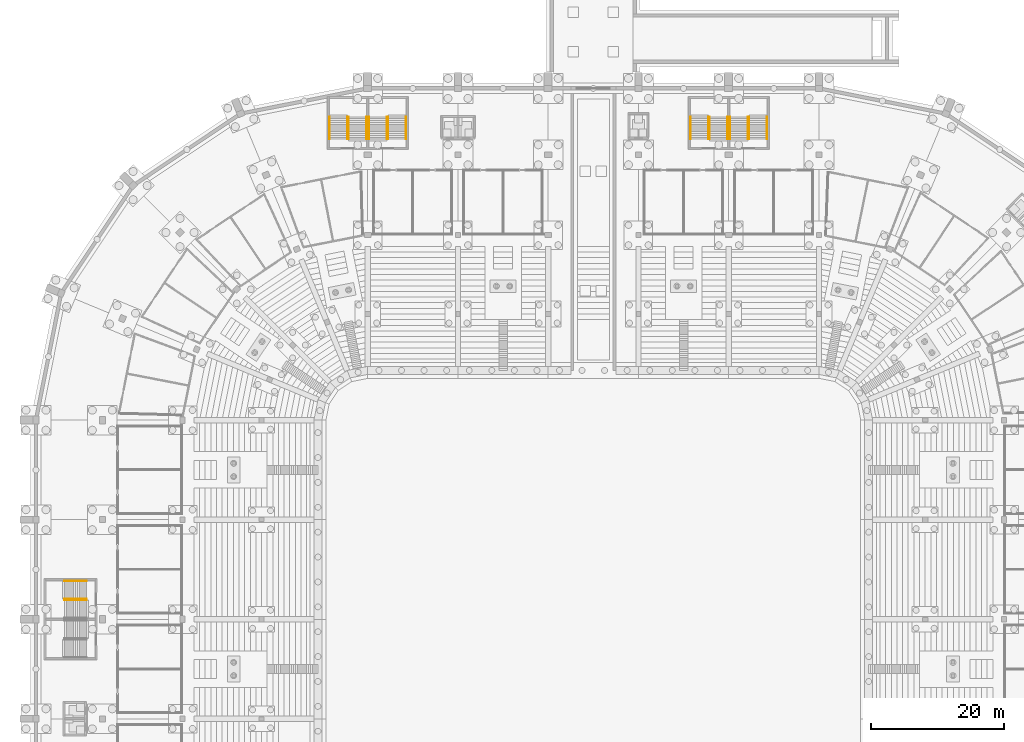
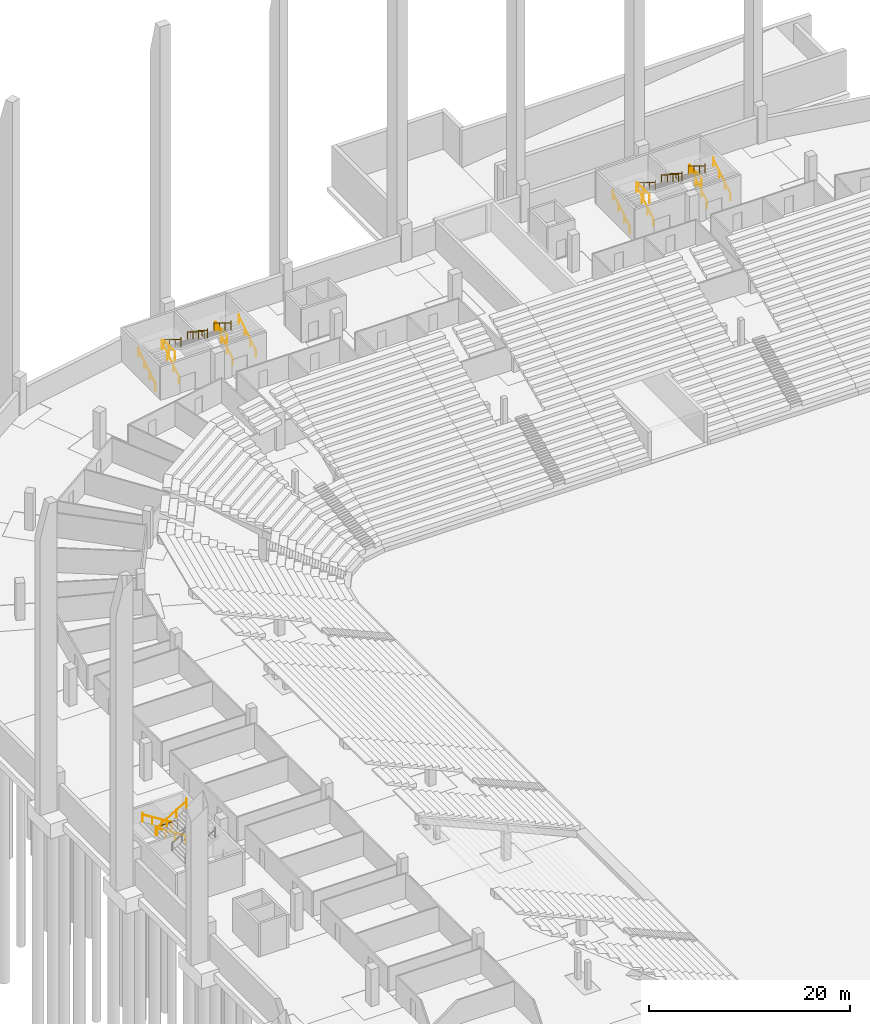
# One storey, part 113 of 115: 24 railings.
"""IFC4 building model written with IfcOpenShell, lengths in metres."""

from ifc_helpers import new_model, si_unit, direction, frame, origin, origin_2d, place, context, subcontext, project, spatial, circle, extrude, material, type_object, element, save


model = new_model("IFC4")

# Units and contexts
model_context = context("Model", 3, precision=1e-05, world=origin(), true_north=direction((0.0, 1.0)))
body_context = subcontext(model_context, "Body", "Model", "MODEL_VIEW")
ifc_project = project(units=[si_unit("LENGTHUNIT", "METRE"), si_unit("AREAUNIT", "SQUARE_METRE"), si_unit("VOLUMEUNIT", "CUBIC_METRE"), si_unit("PLANEANGLEUNIT", "RADIAN"), si_unit("MASSUNIT", "GRAM", prefix="KILO")], contexts=[model_context])

# Site, building, storey
site_placement = place(None, origin())
site = spatial("IfcSite", under=ifc_project, at=site_placement, CompositionType="ELEMENT")
building_placement = place(site_placement, origin())
building = spatial("IfcBuilding", under=site, at=building_placement, Name="Ogive Plaza Stadium", CompositionType="ELEMENT")
storey_placement = place(building_placement, frame((0.0, 0.0, -4.5)))
storey = spatial("IfcBuildingStorey", under=building, at=storey_placement, Name="B1", CompositionType="ELEMENT", Elevation=-4.5)

# Railings
ifc_material_1 = material(Name="Steel ASTM A572 Grade 50", Category="steel")
railing_type_1 = type_object("IfcRailingType", Name="Guard 1100", PredefinedType="GUARDRAIL", material=ifc_material_1)
railing_1_placement = place(storey_placement, frame((-77.31005859375, 25.47509765625, 2.25)))
element("IfcRailing", 1, at=railing_1_placement, inside=storey, type_object=railing_type_1, Name="Stair well guard ST26A B1", PredefinedType="GUARDRAIL", context=body_context, shape_type="SweptSolid", body=[
    extrude(circle(Radius=0.02392578125, at=origin_2d()), frame((0.0, 0.0, 1.076171875), z_axis=(-1.0, 0.0, 0.0), x_axis=(0.0, -1.0, 0.0)), (0.0, 0.0, 1.0), 2.39990234375),
    extrude(circle(Radius=0.02099609375, at=origin_2d()), origin(), (0.0, 0.0, 1.0), 1.052001953125),
    extrude(circle(Radius=0.02099609375, at=origin_2d()), frame((-1.199951171875, 0.0, 0.0)), (0.0, 0.0, 1.0), 1.052001953125),
    extrude(circle(Radius=0.02099609375, at=origin_2d()), frame((-2.39990234375, 0.0, 0.0)), (0.0, 0.0, 1.0), 1.052001953125),
])
for number, where, name in (
    (2, (-31.02490234375, 95.81005859375, 2.25), "Stair well guard ST32A B1"),
    (3, (-36.97509765625, 95.81005859375, 2.25), "Stair well guard ST32B B1"),
    (4, (23.375, 95.81005859375, 2.25), "Stair well guard ST36A B1"),
    (5, (17.425048828125, 95.81005859375, 2.25), "Stair well guard ST36B B1"),
):
    element("IfcRailing", number, at=place(storey_placement, frame(where)), inside=storey, type_object=railing_type_1, Name=name, PredefinedType="GUARDRAIL", context=body_context, shape_type="SweptSolid", body=[
        extrude(circle(Radius=0.02392578125, at=origin_2d()), frame((0.0, 0.0, 1.076171875), z_axis=(0.0, 1.0, 0.0), x_axis=(-1.0, 0.0, 0.0)), (0.0, 0.0, 1.0), 2.39990234375),
        extrude(circle(Radius=0.02099609375, at=origin_2d()), origin(), (0.0, 0.0, 1.0), 1.052001953125),
        extrude(circle(Radius=0.02099609375, at=origin_2d()), frame((0.0, 1.199951171875, 0.0)), (0.0, 0.0, 1.0), 1.052001953125),
        extrude(circle(Radius=0.02099609375, at=origin_2d()), frame((0.0, 2.39990234375, 0.0)), (0.0, 0.0, 1.0), 1.052001953125),
    ])
ifc_material_2 = material(Name="Steel ASTM A572 Grade 50", Category="steel")
railing_type_2 = type_object("IfcRailingType", Name="Handrail 900", PredefinedType="HANDRAIL", material=ifc_material_2)
for number, where, name in (
    (6, (-76.35009765625, 28.264892578125, 0.173095703125), "Handrail ST26A B1"),
    (7, (-76.35009765625, 25.5849609375, 0.173095703125), "Handrail ST26A B1"),
):
    element("IfcRailing", number, at=place(storey_placement, frame(where)), inside=storey, type_object=railing_type_2, Name=name, PredefinedType="HANDRAIL", context=body_context, shape_type="SweptSolid", body=[
        extrude(circle(Radius=0.02392578125, at=origin_2d()), frame((0.0, 0.0, 0.8759765625), z_axis=(-0.850606129759, 0.0, 0.525803396734), x_axis=(0.0, -1.0, 0.0)), (0.0, 0.0, 1.0), 3.949951171875),
        extrude(circle(Radius=0.02099609375, at=origin_2d()), origin(), (0.0, 0.0, 1.0), 0.851806640625),
        extrude(circle(Radius=0.02099609375, at=origin_2d()), frame((-1.119873046875, 0.0, 0.6923828125)), (0.0, 0.0, 1.0), 0.851806640625),
        extrude(circle(Radius=0.02099609375, at=origin_2d()), frame((-2.239990234375, 0.0, 1.384521484375)), (0.0, 0.0, 1.0), 0.851806640625),
        extrude(circle(Radius=0.02099609375, at=origin_2d()), frame((-3.35986328125, 0.0, 2.076904296875)), (0.0, 0.0, 1.0), 1.10009765625),
    ])
railing_2_placement = place(storey_placement, frame((-79.7099609375, 25.364990234375, 2.423095703125)))
element("IfcRailing", 8, at=railing_2_placement, inside=storey, type_object=railing_type_2, Name="Handrail ST26A B1", PredefinedType="HANDRAIL", context=body_context, shape_type="SweptSolid", body=[
    extrude(circle(Radius=0.02392578125, at=origin_2d()), frame((0.0, 0.0, 0.8759765625), z_axis=(0.850606129759, 0.0, 0.525803396734), x_axis=(0.0, 1.0, 0.0)), (0.0, 0.0, 1.0), 3.949951171875),
    extrude(circle(Radius=0.02099609375, at=origin_2d()), origin(), (0.0, 0.0, 1.0), 0.851806640625),
    extrude(circle(Radius=0.02099609375, at=origin_2d()), frame((1.119873046875, 0.0, 0.6923828125)), (0.0, 0.0, 1.0), 0.851806640625),
    extrude(circle(Radius=0.02099609375, at=origin_2d()), frame((2.239990234375, 0.0, 1.384521484375)), (0.0, 0.0, 1.0), 0.851806640625),
    extrude(circle(Radius=0.02099609375, at=origin_2d()), frame((3.35986328125, 0.0, 2.076904296875)), (0.0, 0.0, 1.0), 1.10009765625),
])
for number, where, name in (
    (9, (-28.235107421875, 94.85009765625, 0.173095703125), "Handrail ST32A B1"),
    (10, (-30.9150390625, 94.85009765625, 0.173095703125), "Handrail ST32A B1"),
):
    element("IfcRailing", number, at=place(storey_placement, frame(where)), inside=storey, type_object=railing_type_2, Name=name, PredefinedType="HANDRAIL", context=body_context, shape_type="SweptSolid", body=[
        extrude(circle(Radius=0.02392578125, at=origin_2d()), frame((0.0, 0.0, 0.8759765625), z_axis=(0.0, 0.850606129759, 0.525803396734), x_axis=(-1.0, 0.0, 0.0)), (0.0, 0.0, 1.0), 3.949951171875),
        extrude(circle(Radius=0.02099609375, at=origin_2d()), origin(), (0.0, 0.0, 1.0), 0.851806640625),
        extrude(circle(Radius=0.02099609375, at=origin_2d()), frame((0.0, 1.119873046875, 0.6923828125)), (0.0, 0.0, 1.0), 0.851806640625),
        extrude(circle(Radius=0.02099609375, at=origin_2d()), frame((0.0, 2.239990234375, 1.384521484375)), (0.0, 0.0, 1.0), 0.851806640625),
        extrude(circle(Radius=0.02099609375, at=origin_2d()), frame((0.0, 3.35986328125, 2.076904296875)), (0.0, 0.0, 1.0), 1.10009765625),
    ])
for number, where, name in (
    (11, (-31.135009765625, 98.2099609375, 2.423095703125), "Handrail ST32A B1"),
    (12, (-33.81494140625, 98.2099609375, 2.423095703125), "Handrail ST32A B1"),
):
    element("IfcRailing", number, at=place(storey_placement, frame(where)), inside=storey, type_object=railing_type_2, Name=name, PredefinedType="HANDRAIL", context=body_context, shape_type="SweptSolid", body=[
        extrude(circle(Radius=0.02392578125, at=origin_2d()), frame((0.0, 0.0, 0.8759765625), z_axis=(0.0, -0.850606129759, 0.525803396734), x_axis=(1.0, 0.0, 0.0)), (0.0, 0.0, 1.0), 3.949951171875),
        extrude(circle(Radius=0.02099609375, at=origin_2d()), origin(), (0.0, 0.0, 1.0), 0.851806640625),
        extrude(circle(Radius=0.02099609375, at=origin_2d()), frame((0.0, -1.119873046875, 0.6923828125)), (0.0, 0.0, 1.0), 0.851806640625),
        extrude(circle(Radius=0.02099609375, at=origin_2d()), frame((0.0, -2.239990234375, 1.384521484375)), (0.0, 0.0, 1.0), 0.851806640625),
        extrude(circle(Radius=0.02099609375, at=origin_2d()), frame((0.0, -3.35986328125, 2.076904296875)), (0.0, 0.0, 1.0), 1.10009765625),
    ])
for number, where, name in (
    (13, (-37.0849609375, 94.85009765625, 0.173095703125), "Handrail ST32B B1"),
    (14, (-39.764892578125, 94.85009765625, 0.173095703125), "Handrail ST32B B1"),
):
    element("IfcRailing", number, at=place(storey_placement, frame(where)), inside=storey, type_object=railing_type_2, Name=name, PredefinedType="HANDRAIL", context=body_context, shape_type="SweptSolid", body=[
        extrude(circle(Radius=0.02392578125, at=origin_2d()), frame((0.0, 0.0, 0.8759765625), z_axis=(0.0, 0.850606129759, 0.525803396734), x_axis=(-1.0, 0.0, 0.0)), (0.0, 0.0, 1.0), 3.949951171875),
        extrude(circle(Radius=0.02099609375, at=origin_2d()), origin(), (0.0, 0.0, 1.0), 0.851806640625),
        extrude(circle(Radius=0.02099609375, at=origin_2d()), frame((0.0, 1.119873046875, 0.6923828125)), (0.0, 0.0, 1.0), 0.851806640625),
        extrude(circle(Radius=0.02099609375, at=origin_2d()), frame((0.0, 2.239990234375, 1.384521484375)), (0.0, 0.0, 1.0), 0.851806640625),
        extrude(circle(Radius=0.02099609375, at=origin_2d()), frame((0.0, 3.35986328125, 2.076904296875)), (0.0, 0.0, 1.0), 1.10009765625),
    ])
for number, where, name in (
    (15, (-34.18505859375, 98.2099609375, 2.423095703125), "Handrail ST32B B1"),
    (16, (-36.864990234375, 98.2099609375, 2.423095703125), "Handrail ST32B B1"),
):
    element("IfcRailing", number, at=place(storey_placement, frame(where)), inside=storey, type_object=railing_type_2, Name=name, PredefinedType="HANDRAIL", context=body_context, shape_type="SweptSolid", body=[
        extrude(circle(Radius=0.02392578125, at=origin_2d()), frame((0.0, 0.0, 0.8759765625), z_axis=(0.0, -0.850606129759, 0.525803396734), x_axis=(1.0, 0.0, 0.0)), (0.0, 0.0, 1.0), 3.949951171875),
        extrude(circle(Radius=0.02099609375, at=origin_2d()), origin(), (0.0, 0.0, 1.0), 0.851806640625),
        extrude(circle(Radius=0.02099609375, at=origin_2d()), frame((0.0, -1.119873046875, 0.6923828125)), (0.0, 0.0, 1.0), 0.851806640625),
        extrude(circle(Radius=0.02099609375, at=origin_2d()), frame((0.0, -2.239990234375, 1.384521484375)), (0.0, 0.0, 1.0), 0.851806640625),
        extrude(circle(Radius=0.02099609375, at=origin_2d()), frame((0.0, -3.35986328125, 2.076904296875)), (0.0, 0.0, 1.0), 1.10009765625),
    ])
for number, where, name in (
    (17, (26.1650390625, 94.85009765625, 0.173095703125), "Handrail ST36A B1"),
    (18, (23.485107421875, 94.85009765625, 0.173095703125), "Handrail ST36A B1"),
):
    element("IfcRailing", number, at=place(storey_placement, frame(where)), inside=storey, type_object=railing_type_2, Name=name, PredefinedType="HANDRAIL", context=body_context, shape_type="SweptSolid", body=[
        extrude(circle(Radius=0.02392578125, at=origin_2d()), frame((0.0, 0.0, 0.8759765625), z_axis=(0.0, 0.850606129759, 0.525803396734), x_axis=(-1.0, 0.0, 0.0)), (0.0, 0.0, 1.0), 3.949951171875),
        extrude(circle(Radius=0.02099609375, at=origin_2d()), origin(), (0.0, 0.0, 1.0), 0.851806640625),
        extrude(circle(Radius=0.02099609375, at=origin_2d()), frame((0.0, 1.119873046875, 0.6923828125)), (0.0, 0.0, 1.0), 0.851806640625),
        extrude(circle(Radius=0.02099609375, at=origin_2d()), frame((0.0, 2.239990234375, 1.384521484375)), (0.0, 0.0, 1.0), 0.851806640625),
        extrude(circle(Radius=0.02099609375, at=origin_2d()), frame((0.0, 3.35986328125, 2.076904296875)), (0.0, 0.0, 1.0), 1.10009765625),
    ])
for number, where, name in (
    (19, (23.264892578125, 98.2099609375, 2.423095703125), "Handrail ST36A B1"),
    (20, (20.5849609375, 98.2099609375, 2.423095703125), "Handrail ST36A B1"),
):
    element("IfcRailing", number, at=place(storey_placement, frame(where)), inside=storey, type_object=railing_type_2, Name=name, PredefinedType="HANDRAIL", context=body_context, shape_type="SweptSolid", body=[
        extrude(circle(Radius=0.02392578125, at=origin_2d()), frame((0.0, 0.0, 0.8759765625), z_axis=(0.0, -0.850606129759, 0.525803396734), x_axis=(1.0, 0.0, 0.0)), (0.0, 0.0, 1.0), 3.949951171875),
        extrude(circle(Radius=0.02099609375, at=origin_2d()), origin(), (0.0, 0.0, 1.0), 0.851806640625),
        extrude(circle(Radius=0.02099609375, at=origin_2d()), frame((0.0, -1.119873046875, 0.6923828125)), (0.0, 0.0, 1.0), 0.851806640625),
        extrude(circle(Radius=0.02099609375, at=origin_2d()), frame((0.0, -2.239990234375, 1.384521484375)), (0.0, 0.0, 1.0), 0.851806640625),
        extrude(circle(Radius=0.02099609375, at=origin_2d()), frame((0.0, -3.35986328125, 2.076904296875)), (0.0, 0.0, 1.0), 1.10009765625),
    ])
for number, where, name in (
    (21, (17.31494140625, 94.85009765625, 0.173095703125), "Handrail ST36B B1"),
    (22, (14.635009765625, 94.85009765625, 0.173095703125), "Handrail ST36B B1"),
):
    element("IfcRailing", number, at=place(storey_placement, frame(where)), inside=storey, type_object=railing_type_2, Name=name, PredefinedType="HANDRAIL", context=body_context, shape_type="SweptSolid", body=[
        extrude(circle(Radius=0.02392578125, at=origin_2d()), frame((0.0, 0.0, 0.8759765625), z_axis=(0.0, 0.850606129759, 0.525803396734), x_axis=(-1.0, 0.0, 0.0)), (0.0, 0.0, 1.0), 3.949951171875),
        extrude(circle(Radius=0.02099609375, at=origin_2d()), origin(), (0.0, 0.0, 1.0), 0.851806640625),
        extrude(circle(Radius=0.02099609375, at=origin_2d()), frame((0.0, 1.119873046875, 0.6923828125)), (0.0, 0.0, 1.0), 0.851806640625),
        extrude(circle(Radius=0.02099609375, at=origin_2d()), frame((0.0, 2.239990234375, 1.384521484375)), (0.0, 0.0, 1.0), 0.851806640625),
        extrude(circle(Radius=0.02099609375, at=origin_2d()), frame((0.0, 3.35986328125, 2.076904296875)), (0.0, 0.0, 1.0), 1.10009765625),
    ])
for number, where, name in (
    (23, (20.215087890625, 98.2099609375, 2.423095703125), "Handrail ST36B B1"),
    (24, (17.534912109375, 98.2099609375, 2.423095703125), "Handrail ST36B B1"),
):
    element("IfcRailing", number, at=place(storey_placement, frame(where)), inside=storey, type_object=railing_type_2, Name=name, PredefinedType="HANDRAIL", context=body_context, shape_type="SweptSolid", body=[
        extrude(circle(Radius=0.02392578125, at=origin_2d()), frame((0.0, 0.0, 0.8759765625), z_axis=(0.0, -0.850606129759, 0.525803396734), x_axis=(1.0, 0.0, 0.0)), (0.0, 0.0, 1.0), 3.949951171875),
        extrude(circle(Radius=0.02099609375, at=origin_2d()), origin(), (0.0, 0.0, 1.0), 0.851806640625),
        extrude(circle(Radius=0.02099609375, at=origin_2d()), frame((0.0, -1.119873046875, 0.6923828125)), (0.0, 0.0, 1.0), 0.851806640625),
        extrude(circle(Radius=0.02099609375, at=origin_2d()), frame((0.0, -2.239990234375, 1.384521484375)), (0.0, 0.0, 1.0), 0.851806640625),
        extrude(circle(Radius=0.02099609375, at=origin_2d()), frame((0.0, -3.35986328125, 2.076904296875)), (0.0, 0.0, 1.0), 1.10009765625),
    ])

save(model, "model.ifc")
